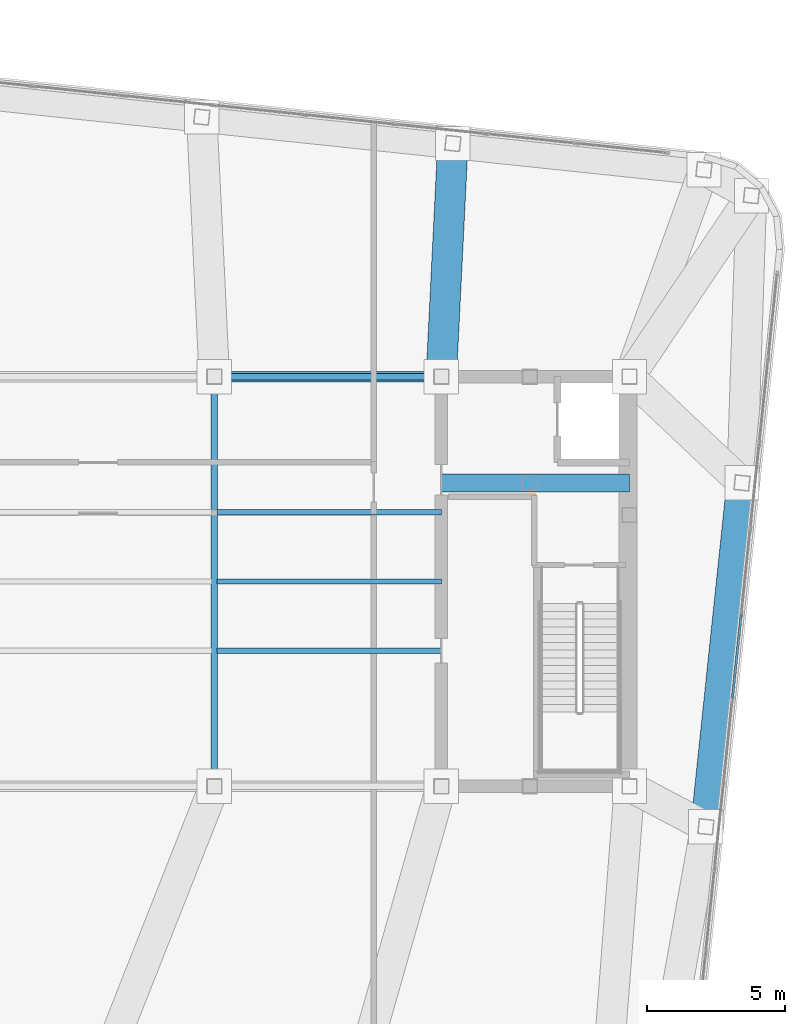
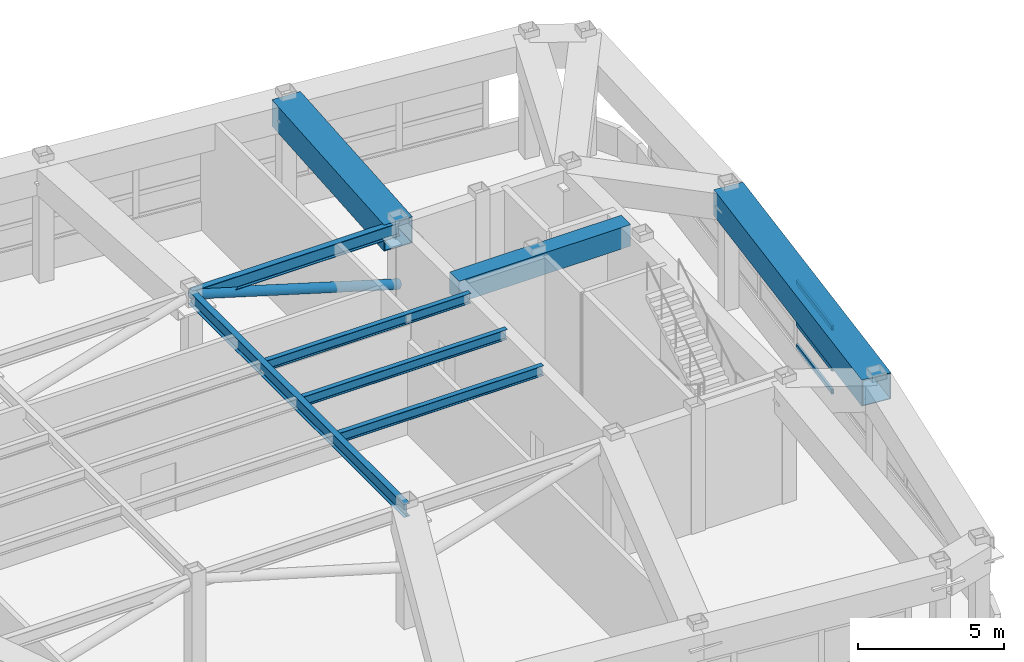
# One storey, part 12 of 23: 8 beams, 4 members, 1 element without a shape of its own.
"""IFC4 building model written with IfcOpenShell, lengths in metres."""

import ifcopenshell
import ifcopenshell.guid

model = None  # the IFC model being written
_history = None  # IfcOwnerHistory: only IFC2X3 demands one
_inside = {}  # id of a spatial element -> (the spatial element, [elements in it])
_under = {}  # id of a project, library or spatial element -> (it, [spatial elements below it])
_declared = {}  # id of a project -> (the project, [libraries it declares])
_typed = {}  # id of a type object -> (the type object, [elements of that type])
_made_of = {}  # id of a material, layer set ... -> (it, [elements and type objects made of it])


def new_model(schema):
    """Start an empty IFC model of exactly this schema.

    Asked for "IFC4X3", IfcOpenShell would pick the latest addendum, in which some entities
    have other attributes; the version numbers below select the first issue.
    IFC2X3 requires an IfcOwnerHistory on every rooted entity: one is made here for all.
    """
    global model, _history
    if schema == "IFC4X3":
        model = ifcopenshell.file(schema_version=(4, 3, 0, 0))
    else:
        model = ifcopenshell.file(schema=schema)
    _inside.clear()
    _under.clear()
    _declared.clear()
    _typed.clear()
    _made_of.clear()
    _history = None
    if model.schema == "IFC2X3":
        org = make("IfcOrganization", Name="unknown")
        user = make(
            "IfcPersonAndOrganization",
            ThePerson=make("IfcPerson", FamilyName="unknown"),
            TheOrganization=org,
        )
        app = make(
            "IfcApplication",
            ApplicationDeveloper=org,
            Version="unknown",
            ApplicationFullName="unknown",
            ApplicationIdentifier="unknown",
        )
        _history = make(
            "IfcOwnerHistory",
            OwningUser=user,
            OwningApplication=app,
            ChangeAction="ADDED",
            CreationDate=0,
        )
    return model


def make(cls, **values):
    """One entity of the class cls with the attributes given. An attribute that is None is left unset."""
    return model.create_entity(
        cls, **{name: value for name, value in values.items() if value is not None}
    )


def rooted(cls, **values):
    """An entity with a GlobalId (a new one), such as an element, a storey or a relation."""
    return make(cls, GlobalId=ifcopenshell.guid.new(), OwnerHistory=_history, **values)


def si_unit(unit_type, name, prefix=None):
    """IfcSIUnit, for example si_unit("LENGTHUNIT", "METRE", prefix="MILLI")."""
    return make("IfcSIUnit", UnitType=unit_type, Prefix=prefix, Name=name)


def assignment(units):
    """IfcUnitAssignment: the units of a project."""
    return None if units is None else make("IfcUnitAssignment", Units=units)


def point(xyz):
    """IfcCartesianPoint."""
    return None if xyz is None else make("IfcCartesianPoint", Coordinates=xyz)


def direction(xyz):
    """IfcDirection."""
    return None if xyz is None else make("IfcDirection", DirectionRatios=xyz)


def frame(location, z_axis=None, x_axis=None):
    """IfcAxis2Placement3D, a coordinate frame: its origin and axes. An axis left out is left unset."""
    return make(
        "IfcAxis2Placement3D",
        Location=point(location),
        Axis=direction(z_axis),
        RefDirection=direction(x_axis),
    )


def frame_2d(location, x_axis=None):
    """IfcAxis2Placement2D, a coordinate frame in the plane: its origin and x axis."""
    return make(
        "IfcAxis2Placement2D", Location=point(location), RefDirection=direction(x_axis)
    )


def origin():
    """The frame at (0, 0, 0) with its axes left unset."""
    return frame((0.0, 0.0, 0.0))


def origin_2d():
    """The frame at (0, 0) in the plane with its x axis left unset."""
    return frame_2d((0.0, 0.0))


def place(relative_to, where):
    """IfcLocalPlacement: puts the frame where relative to a parent placement (None: the world)."""
    return make(
        "IfcLocalPlacement", PlacementRelTo=relative_to, RelativePlacement=where
    )


def context(
    kind, dimensions, precision=None, world=None, true_north=None, identifier=None
):
    """IfcGeometricRepresentationContext, for example the 3D "Model" context."""
    return make(
        "IfcGeometricRepresentationContext",
        ContextIdentifier=identifier,
        ContextType=kind,
        CoordinateSpaceDimension=dimensions,
        Precision=precision,
        WorldCoordinateSystem=world,
        TrueNorth=true_north,
    )


def subcontext(parent, identifier, kind, view, scale=None):
    """IfcGeometricRepresentationSubContext, for example "Body" below "Model"."""
    return make(
        "IfcGeometricRepresentationSubContext",
        ContextIdentifier=identifier,
        ContextType=kind,
        ParentContext=parent,
        TargetScale=scale,
        TargetView=view,
    )


def project(units=None, contexts=None):
    """IfcProject with its units and contexts."""
    return rooted(
        "IfcProject",
        Name="project",
        RepresentationContexts=contexts,
        UnitsInContext=assignment(units),
    )


def spatial(cls, under=None, at=None, **own):
    """A site, building, storey or space (cls), placed at a placement, below another one or the project."""
    s = rooted(cls, ObjectPlacement=at, **own)
    if under is not None:
        _under.setdefault(under.id(), (under, []))[1].append(s)
    return s


def profile(cls, at=None, kind="AREA", **sizes):
    """A parametric profile (cls). Its sizes go by their IFC names, for example OverallWidth=200.0."""
    return make(cls, ProfileType=kind, Position=at, **sizes)


def rectangle(**sizes):
    """IfcRectangleProfileDef."""
    return profile("IfcRectangleProfileDef", **sizes)


def hollow_rectangle(**sizes):
    """IfcRectangleHollowProfileDef."""
    return profile("IfcRectangleHollowProfileDef", **sizes)


def hollow_circle(**sizes):
    """IfcCircleHollowProfileDef."""
    return profile("IfcCircleHollowProfileDef", **sizes)


def i_section(**sizes):
    """IfcIShapeProfileDef."""
    return profile("IfcIShapeProfileDef", **sizes)


def extrude(swept, where, along, depth):
    """IfcExtrudedAreaSolid: the profile swept, set in the frame where, extruded along a direction by depth."""
    return make(
        "IfcExtrudedAreaSolid",
        SweptArea=swept,
        Position=where,
        ExtrudedDirection=direction(along),
        Depth=depth,
    )


def shape(context_of_items, identifier, shape_type, items):
    """IfcShapeRepresentation: the items that make up one representation, for example the "Body"."""
    return make(
        "IfcShapeRepresentation",
        ContextOfItems=context_of_items,
        RepresentationIdentifier=identifier,
        RepresentationType=shape_type,
        Items=items,
    )


def material(Name=None, Category=None):
    """IfcMaterial."""
    return make("IfcMaterial", Name=Name, Category=Category)


def layer(
    of_material, thickness, ventilated=None, Name=None, Category=None, Priority=None
):
    """IfcMaterialLayer: one layer of a wall or slab, of a material (None: an air gap)."""
    return make(
        "IfcMaterialLayer",
        Material=of_material,
        LayerThickness=thickness,
        IsVentilated=ventilated,
        Name=Name,
        Category=Category,
        Priority=Priority,
    )


def layer_set(layers, Name=None):
    """IfcMaterialLayerSet."""
    return make("IfcMaterialLayerSet", MaterialLayers=layers, LayerSetName=Name)


def material_profile(
    of_material, cross_section, Name=None, Category=None, Priority=None
):
    """IfcMaterialProfile: a cross section and its material."""
    return make(
        "IfcMaterialProfile",
        Name=Name,
        Material=of_material,
        Profile=cross_section,
        Priority=Priority,
        Category=Category,
    )


def profile_set(profiles, Name=None, composite=None):
    """IfcMaterialProfileSet."""
    return make(
        "IfcMaterialProfileSet",
        Name=Name,
        MaterialProfiles=profiles,
        CompositeProfile=composite,
    )


def made_of(thing, what):
    """Note that an element or type object is made of a material, layer set ...; save() writes the relation."""
    if what is not None:
        _made_of.setdefault(what.id(), (what, []))[1].append(thing)
    return thing


def type_object(cls, material=None, **own):
    """A type object (cls), such as IfcWallType, which elements share."""
    return made_of(rooted(cls, **own), material)


def element(
    cls,
    number,
    at=None,
    inside=None,
    cuts=None,
    type_object=None,
    material=None,
    context=None,
    identifier="Body",
    shape_type=None,
    held_by="IfcProductDefinitionShape",
    body=None,
    shapes=None,
    **own,
):
    """One element of the class cls, such as IfcWall. Its Tag is "e" and its number.

    at: its placement. inside: the storey or other place that contains it. cuts: it is an
    opening in that element (IfcRelVoidsElement). A single representation is given by context,
    identifier, shape_type and body (its items); several are given by shapes. held_by: the class
    of the entity that holds the representations. save() writes the other relations.
    """
    e = rooted(cls, Tag="e%d" % number, ObjectPlacement=at, **own)
    if body is not None:
        shapes = [shape(context, identifier, shape_type, body)]
    if shapes is not None:
        e.Representation = make(held_by, Representations=shapes)
    if inside is not None:
        _inside.setdefault(inside.id(), (inside, []))[1].append(e)
    if cuts is not None:
        rooted(
            "IfcRelVoidsElement", RelatingBuildingElement=cuts, RelatedOpeningElement=e
        )
    if type_object is not None:
        _typed.setdefault(type_object.id(), (type_object, []))[1].append(e)
    return made_of(e, material)


def aggregate(whole, parts):
    """IfcRelAggregates: a whole, such as a stair, and the parts it consists of."""
    return rooted("IfcRelAggregates", RelatingObject=whole, RelatedObjects=parts)


def save(model, path):
    """Write the relations noted so far, then the file.

    IfcRelAggregates (storeys below a building ...), IfcRelContainedInSpatialStructure (elements
    in a storey), IfcRelDefinesByType, IfcRelAssociatesMaterial and IfcRelDeclares: one each for
    every whole, place, type object, material and project.
    """
    for whole, parts in _under.values():
        aggregate(whole, parts)
    for where, things in _inside.values():
        rooted(
            "IfcRelContainedInSpatialStructure",
            RelatedElements=things,
            RelatingStructure=where,
        )
    for kind, things in _typed.values():
        rooted("IfcRelDefinesByType", RelatedObjects=things, RelatingType=kind)
    for what, things in _made_of.values():
        rooted("IfcRelAssociatesMaterial", RelatedObjects=things, RelatingMaterial=what)
    for by, libraries in _declared.values():
        rooted("IfcRelDeclares", RelatingContext=by, RelatedDefinitions=libraries)
    model.write(path)


model = new_model("IFC4")

# Units and contexts
model_context = context("Model", 3, precision=1e-05, world=origin(), true_north=direction((0.0, 1.0)))
body_context = subcontext(model_context, "Body", "Model", "MODEL_VIEW")
ifc_project = project(units=[si_unit("LENGTHUNIT", "METRE"), si_unit("AREAUNIT", "SQUARE_METRE"), si_unit("VOLUMEUNIT", "CUBIC_METRE"), si_unit("PLANEANGLEUNIT", "RADIAN"), si_unit("MASSUNIT", "GRAM", prefix="KILO")], contexts=[model_context])

# Site, building, storey
site_placement = place(None, origin())
site = spatial("IfcSite", under=ifc_project, at=site_placement, CompositionType="ELEMENT")
building_placement = place(site_placement, origin())
building = spatial("IfcBuilding", under=site, at=building_placement, Name="Voryun Gate Residences", CompositionType="ELEMENT")
storey_placement = place(building_placement, frame((0.0, 0.0, 316.0)))
storey = spatial("IfcBuildingStorey", under=building, at=storey_placement, Name="L78", CompositionType="ELEMENT", Elevation=316.0)

# Beams
ifc_material_1 = material(Name="Steel SM420", Category="steel")
ifc_material_profile_1 = material_profile(ifc_material_1, hollow_rectangle(XDim=1.10009765625, YDim=1.10009765625, WallThickness=0.035888671875, at=origin_2d()), Name="BOX-1100x1100x36")
ifc_profile_set_1 = profile_set([ifc_material_profile_1], Name="Steel SM420")
beam_type_1 = type_object("IfcBeamType", Name="BM_ARCH_RIB", PredefinedType="USERDEFINED", material=ifc_profile_set_1)
beam_1_placement = place(storey_placement, frame((21.958251953125, -8.861572265625, 4.47509765625), z_axis=(0.104519973049, 0.99452278769, 0.0), x_axis=(-0.99452278769, 0.104519973049, 0.0)))
element("IfcBeam", 1, at=beam_1_placement, inside=storey, type_object=beam_type_1, Name="BM-L78-SPAND-08", ObjectType="GIRDER", PredefinedType="USERDEFINED", context=body_context, shape_type="SweptSolid", body=[
    extrude(hollow_rectangle(XDim=1.10009765625, YDim=1.10009765625, WallThickness=0.035888671875, at=origin_2d()), origin(), (0.0, 0.0, 1.0), 12.491943359375),
])
beam_2_placement = place(storey_placement, frame((12.39990234375, 7.39990234375, 4.47509765625), z_axis=(0.049635922604, 0.998767377915, 0.0), x_axis=(-0.998767377915, 0.049635922604, 0.0)))
element("IfcBeam", 2, at=beam_2_placement, inside=storey, type_object=beam_type_1, Name="BM-L78-RAD-N2", ObjectType="GIRDER", PredefinedType="USERDEFINED", context=body_context, shape_type="SweptSolid", body=[
    extrude(hollow_rectangle(XDim=1.10009765625, YDim=1.10009765625, WallThickness=0.035888671875, at=origin_2d()), origin(), (0.0, 0.0, 1.0), 8.435546875),
])
ifc_material_2 = material(Name="Concrete C60/75", Category="concrete")
ifc_material_profile_2 = material_profile(ifc_material_2, rectangle(XDim=0.64990234375, YDim=0.89990234375, at=origin_2d()), Name="RC-650x900")
ifc_profile_set_2 = profile_set([ifc_material_profile_2], Name="Concrete C60/75")
beam_type_2 = type_object("IfcBeamType", Name="BM_COUP_RC900", PredefinedType="LINTEL", material=ifc_profile_set_2)
beam_3_placement = place(storey_placement, frame((12.39990234375, 3.550048828125, 4.574951171875), z_axis=(1.0, 0.0, 0.0), x_axis=(0.0, 1.0, 0.0)))
element("IfcBeam", 3, at=beam_3_placement, inside=storey, type_object=beam_type_2, Name="BM-L78-EC1", PredefinedType="LINTEL", context=body_context, shape_type="SweptSolid", body=[
    extrude(rectangle(XDim=0.64990234375, YDim=0.89990234375, at=origin_2d()), origin(), (0.0, 0.0, 1.0), 6.800048828125),
])
ifc_material_3 = material(Name="Steel SM355", Category="steel")
ifc_material_profile_3 = material_profile(ifc_material_3, i_section(OverallWidth=0.239990234375, OverallDepth=0.550048828125, WebThickness=0.011962890625, FlangeThickness=0.02001953125, FilletRadius=0.01806640625, at=origin_2d()), Name="H-550x240x12x20")
ifc_profile_set_3 = profile_set([ifc_material_profile_3], Name="Steel SM355")
beam_type_3 = type_object("IfcBeamType", Name="BM_GIRD_550", PredefinedType="USERDEFINED", material=ifc_profile_set_3)
beam_4_placement = place(storey_placement, frame((4.199951171875, 7.39990234375, 4.75), z_axis=(1.0, 0.0, 0.0), x_axis=(0.0, 1.0, 0.0)))
element("IfcBeam", 4, at=beam_4_placement, inside=storey, type_object=beam_type_3, Name="BM-L78-SPG3-N", ObjectType="GIRDER", PredefinedType="USERDEFINED", context=body_context, shape_type="SweptSolid", body=[
    extrude(i_section(OverallWidth=0.239990234375, OverallDepth=0.550048828125, WebThickness=0.011962890625, FlangeThickness=0.02001953125, FilletRadius=0.01806640625, at=origin_2d()), origin(), (0.0, 0.0, 1.0), 8.199951171875),
])
beam_5_placement = place(storey_placement, frame((4.199951171875, -7.39990234375, 4.75), z_axis=(0.0, 1.0, 0.0), x_axis=(-1.0, 0.0, 0.0)))
element("IfcBeam", 5, at=beam_5_placement, inside=storey, type_object=beam_type_3, Name="BM-L78-SPX-E", ObjectType="GIRDER", PredefinedType="USERDEFINED", context=body_context, shape_type="SweptSolid", body=[
    extrude(i_section(OverallWidth=0.239990234375, OverallDepth=0.550048828125, WebThickness=0.011962890625, FlangeThickness=0.02001953125, FilletRadius=0.01806640625, at=origin_2d()), origin(), (0.0, 0.0, 1.0), 14.7998046875),
])
ifc_material_4 = material(Name="Steel SM355", Category="steel")
ifc_material_profile_4 = material_profile(ifc_material_4, i_section(OverallWidth=0.18994140625, OverallDepth=0.419921875, WebThickness=0.009033203125, FlangeThickness=0.01611328125, FilletRadius=0.01806640625, at=origin_2d()), Name="H-420x190x9x16")
ifc_profile_set_4 = profile_set([ifc_material_profile_4], Name="Steel SM355")
beam_type_4 = type_object("IfcBeamType", Name="BM_SEC_420", PredefinedType="BEAM", material=ifc_profile_set_4)
for number, where, z_axis, x_axis, name in (
    (6, (4.300048828125, -2.5, 4.81494140625), (1.0, 0.0, 0.0), (0.0, 1.0, 0.0), "BM-L78-SEC-CS3"),
    (7, (4.300048828125, 0.0, 4.81494140625), (1.0, 0.0, 0.0), (0.0, 1.0, 0.0), "BM-L78-SEC-CM3"),
    (8, (4.300048828125, 2.5, 4.81494140625), (1.0, 0.0, 0.0), (0.0, 1.0, 0.0), "BM-L78-SEC-CN3"),
):
    element("IfcBeam", number, at=place(storey_placement, frame(where, z_axis=z_axis, x_axis=x_axis)), inside=storey, type_object=beam_type_4, Name=name, PredefinedType="BEAM", context=body_context, shape_type="SweptSolid", body=[
        extrude(i_section(OverallWidth=0.18994140625, OverallDepth=0.419921875, WebThickness=0.009033203125, FlangeThickness=0.01611328125, FilletRadius=0.01806640625, at=origin_2d()), origin(), (0.0, 0.0, 1.0), 8.099853515625),
    ])

# Curtain wall, members
ifc_material_5 = material(Name="Anodised aluminium", Category="aluminium")
ifc_layer = layer(ifc_material_5, 0.22998046875, Name="CW_SYS_LANTERN_DARK_GLASS")
ifc_layer_set = layer_set([ifc_layer], Name="Anodised aluminium")
curtain_wall_type = type_object("IfcCurtainWallType", Name="CW_SYS_LANTERN_DARK_GLASS", PredefinedType="NOTDEFINED", material=ifc_layer_set)
curtain_wall_placement = place(storey_placement, origin())
curtain_wall = element("IfcCurtainWall", 9, at=curtain_wall_placement, inside=storey, type_object=curtain_wall_type, Name="Curtain wall CW6-L78-16", PredefinedType="NOTDEFINED")
ifc_material_6 = material(Name="Anodised aluminium", Category="aluminium")
ifc_material_profile_5 = material_profile(ifc_material_6, hollow_rectangle(XDim=0.0849609375, YDim=0.18994140625, WallThickness=0.006103515625, at=origin_2d()), Name="ALU-TRAN-190x85x6")
ifc_profile_set_5 = profile_set([ifc_material_profile_5], Name="Anodised aluminium")
member_type_1 = type_object("IfcMemberType", Name="CW_TRAN_LANT", PredefinedType="USERDEFINED", material=ifc_profile_set_5)
member_1_placement = place(storey_placement, frame((23.23681640625, -1.193359375, 1.219970703125), z_axis=(-0.104500100479, -0.994524876009, 0.0), x_axis=(0.994524876009, -0.104500100479, 0.0)))
member_1 = element("IfcMember", 10, at=member_1_placement, type_object=member_type_1, Name="CW6 transom 5.1", ObjectType="TRANSOM", PredefinedType="USERDEFINED", context=body_context, shape_type="SweptSolid", body=[
    extrude(hollow_rectangle(XDim=0.0849609375, YDim=0.18994140625, WallThickness=0.006103515625, at=origin_2d()), origin(), (0.0, 0.0, 1.0), 3.02783203125),
])
member_2_placement = place(storey_placement, frame((23.23681640625, -1.193359375, 2.1708984375), z_axis=(-0.104500100479, -0.994524876009, 0.0), x_axis=(0.994524876009, -0.104500100479, 0.0)))
member_2 = element("IfcMember", 11, at=member_2_placement, type_object=member_type_1, Name="CW6 transom 5.2", ObjectType="TRANSOM", PredefinedType="USERDEFINED", context=body_context, shape_type="SweptSolid", body=[
    extrude(hollow_rectangle(XDim=0.0849609375, YDim=0.18994140625, WallThickness=0.006103515625, at=origin_2d()), origin(), (0.0, 0.0, 1.0), 3.02783203125),
])
member_3_placement = place(storey_placement, frame((23.23681640625, -1.193359375, 3.885009765625), z_axis=(-0.104500100479, -0.994524876009, 0.0), x_axis=(0.994524876009, -0.104500100479, 0.0)))
member_3 = element("IfcMember", 12, at=member_3_placement, type_object=member_type_1, Name="CW6 transom 5.3", ObjectType="TRANSOM", PredefinedType="USERDEFINED", context=body_context, shape_type="SweptSolid", body=[
    extrude(hollow_rectangle(XDim=0.0849609375, YDim=0.18994140625, WallThickness=0.006103515625, at=origin_2d()), origin(), (0.0, 0.0, 1.0), 3.02783203125),
])
aggregate(curtain_wall, [member_1, member_2, member_3])

# Member
ifc_material_7 = material(Name="Steel SM355", Category="steel")
ifc_material_profile_6 = material_profile(ifc_material_7, hollow_circle(Radius=0.18994140625, WallThickness=0.01806640625, at=origin_2d()), Name="CHS-380x18")
ifc_profile_set_6 = profile_set([ifc_material_profile_6], Name="Steel SM355")
member_type_2 = type_object("IfcMemberType", Name="MBR_CROWN_DIAGRID", PredefinedType="BRACE", material=ifc_profile_set_6)
member_4_placement = place(storey_placement, frame((12.39990234375, 7.39990234375, 2.3798828125), z_axis=(-0.957662114733, 0.0, 0.287894553621), x_axis=(0.0, -1.0, 0.0)))
element("IfcMember", 13, at=member_4_placement, inside=storey, type_object=member_type_2, Name="L78 Lantern Spine Diagrid Brace 06", PredefinedType="BRACE", context=body_context, shape_type="SweptSolid", body=[
    extrude(hollow_circle(Radius=0.18994140625, WallThickness=0.01806640625, at=origin_2d()), origin(), (0.0, 0.0, 1.0), 8.5625),
])

save(model, "model.ifc")
